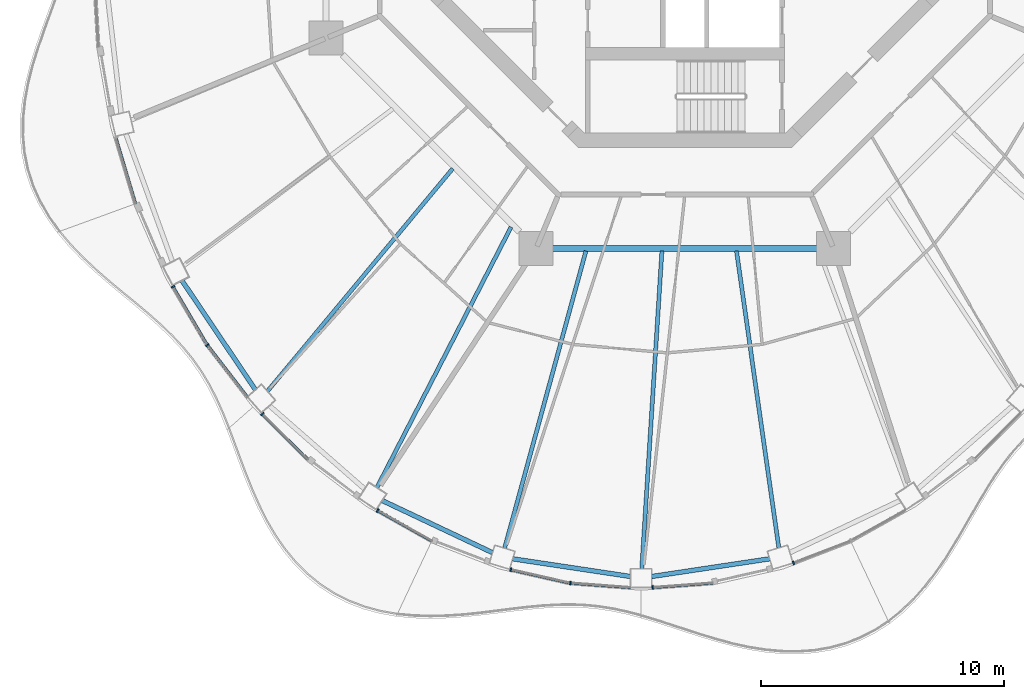
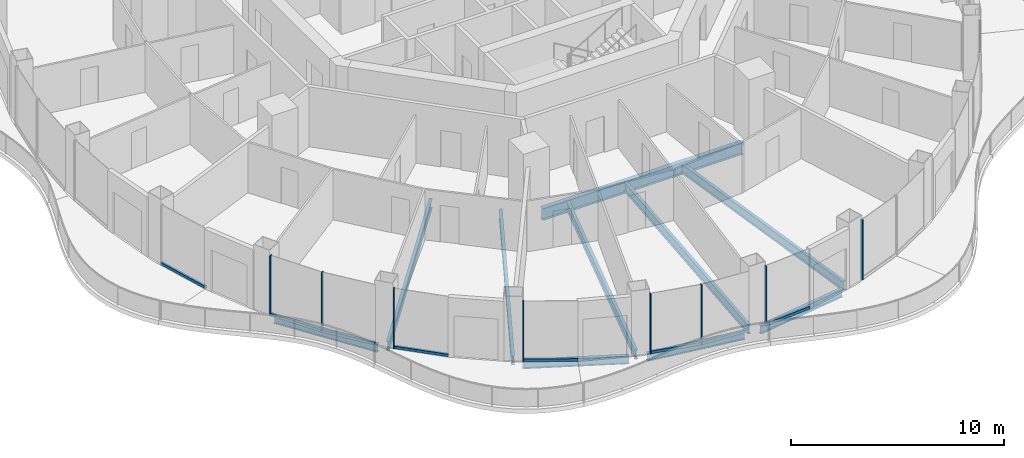
# One storey, part 2 of 18: 16 members, 10 beams, 9 elements without a shape of their own.
"""IFC4 building model written with IfcOpenShell, lengths in metres."""

import ifcopenshell
import ifcopenshell.guid

model = None  # the IFC model being written
_history = None  # IfcOwnerHistory: only IFC2X3 demands one
_inside = {}  # id of a spatial element -> (the spatial element, [elements in it])
_under = {}  # id of a project, library or spatial element -> (it, [spatial elements below it])
_declared = {}  # id of a project -> (the project, [libraries it declares])
_typed = {}  # id of a type object -> (the type object, [elements of that type])
_made_of = {}  # id of a material, layer set ... -> (it, [elements and type objects made of it])


def new_model(schema):
    """Start an empty IFC model of exactly this schema.

    Asked for "IFC4X3", IfcOpenShell would pick the latest addendum, in which some entities
    have other attributes; the version numbers below select the first issue.
    IFC2X3 requires an IfcOwnerHistory on every rooted entity: one is made here for all.
    """
    global model, _history
    if schema == "IFC4X3":
        model = ifcopenshell.file(schema_version=(4, 3, 0, 0))
    else:
        model = ifcopenshell.file(schema=schema)
    _inside.clear()
    _under.clear()
    _declared.clear()
    _typed.clear()
    _made_of.clear()
    _history = None
    if model.schema == "IFC2X3":
        org = make("IfcOrganization", Name="unknown")
        user = make(
            "IfcPersonAndOrganization",
            ThePerson=make("IfcPerson", FamilyName="unknown"),
            TheOrganization=org,
        )
        app = make(
            "IfcApplication",
            ApplicationDeveloper=org,
            Version="unknown",
            ApplicationFullName="unknown",
            ApplicationIdentifier="unknown",
        )
        _history = make(
            "IfcOwnerHistory",
            OwningUser=user,
            OwningApplication=app,
            ChangeAction="ADDED",
            CreationDate=0,
        )
    return model


def make(cls, **values):
    """One entity of the class cls with the attributes given. An attribute that is None is left unset."""
    return model.create_entity(
        cls, **{name: value for name, value in values.items() if value is not None}
    )


def rooted(cls, **values):
    """An entity with a GlobalId (a new one), such as an element, a storey or a relation."""
    return make(cls, GlobalId=ifcopenshell.guid.new(), OwnerHistory=_history, **values)


def si_unit(unit_type, name, prefix=None):
    """IfcSIUnit, for example si_unit("LENGTHUNIT", "METRE", prefix="MILLI")."""
    return make("IfcSIUnit", UnitType=unit_type, Prefix=prefix, Name=name)


def assignment(units):
    """IfcUnitAssignment: the units of a project."""
    return None if units is None else make("IfcUnitAssignment", Units=units)


def point(xyz):
    """IfcCartesianPoint."""
    return None if xyz is None else make("IfcCartesianPoint", Coordinates=xyz)


def direction(xyz):
    """IfcDirection."""
    return None if xyz is None else make("IfcDirection", DirectionRatios=xyz)


def frame(location, z_axis=None, x_axis=None):
    """IfcAxis2Placement3D, a coordinate frame: its origin and axes. An axis left out is left unset."""
    return make(
        "IfcAxis2Placement3D",
        Location=point(location),
        Axis=direction(z_axis),
        RefDirection=direction(x_axis),
    )


def frame_2d(location, x_axis=None):
    """IfcAxis2Placement2D, a coordinate frame in the plane: its origin and x axis."""
    return make(
        "IfcAxis2Placement2D", Location=point(location), RefDirection=direction(x_axis)
    )


def origin():
    """The frame at (0, 0, 0) with its axes left unset."""
    return frame((0.0, 0.0, 0.0))


def origin_2d():
    """The frame at (0, 0) in the plane with its x axis left unset."""
    return frame_2d((0.0, 0.0))


def place(relative_to, where):
    """IfcLocalPlacement: puts the frame where relative to a parent placement (None: the world)."""
    return make(
        "IfcLocalPlacement", PlacementRelTo=relative_to, RelativePlacement=where
    )


def context(
    kind, dimensions, precision=None, world=None, true_north=None, identifier=None
):
    """IfcGeometricRepresentationContext, for example the 3D "Model" context."""
    return make(
        "IfcGeometricRepresentationContext",
        ContextIdentifier=identifier,
        ContextType=kind,
        CoordinateSpaceDimension=dimensions,
        Precision=precision,
        WorldCoordinateSystem=world,
        TrueNorth=true_north,
    )


def subcontext(parent, identifier, kind, view, scale=None):
    """IfcGeometricRepresentationSubContext, for example "Body" below "Model"."""
    return make(
        "IfcGeometricRepresentationSubContext",
        ContextIdentifier=identifier,
        ContextType=kind,
        ParentContext=parent,
        TargetScale=scale,
        TargetView=view,
    )


def project(units=None, contexts=None):
    """IfcProject with its units and contexts."""
    return rooted(
        "IfcProject",
        Name="project",
        RepresentationContexts=contexts,
        UnitsInContext=assignment(units),
    )


def spatial(cls, under=None, at=None, **own):
    """A site, building, storey or space (cls), placed at a placement, below another one or the project."""
    s = rooted(cls, ObjectPlacement=at, **own)
    if under is not None:
        _under.setdefault(under.id(), (under, []))[1].append(s)
    return s


def profile(cls, at=None, kind="AREA", **sizes):
    """A parametric profile (cls). Its sizes go by their IFC names, for example OverallWidth=200.0."""
    return make(cls, ProfileType=kind, Position=at, **sizes)


def rectangle(**sizes):
    """IfcRectangleProfileDef."""
    return profile("IfcRectangleProfileDef", **sizes)


def i_section(**sizes):
    """IfcIShapeProfileDef."""
    return profile("IfcIShapeProfileDef", **sizes)


def extrude(swept, where, along, depth):
    """IfcExtrudedAreaSolid: the profile swept, set in the frame where, extruded along a direction by depth."""
    return make(
        "IfcExtrudedAreaSolid",
        SweptArea=swept,
        Position=where,
        ExtrudedDirection=direction(along),
        Depth=depth,
    )


def shape(context_of_items, identifier, shape_type, items):
    """IfcShapeRepresentation: the items that make up one representation, for example the "Body"."""
    return make(
        "IfcShapeRepresentation",
        ContextOfItems=context_of_items,
        RepresentationIdentifier=identifier,
        RepresentationType=shape_type,
        Items=items,
    )


def material(Name=None, Category=None):
    """IfcMaterial."""
    return make("IfcMaterial", Name=Name, Category=Category)


def layer(
    of_material, thickness, ventilated=None, Name=None, Category=None, Priority=None
):
    """IfcMaterialLayer: one layer of a wall or slab, of a material (None: an air gap)."""
    return make(
        "IfcMaterialLayer",
        Material=of_material,
        LayerThickness=thickness,
        IsVentilated=ventilated,
        Name=Name,
        Category=Category,
        Priority=Priority,
    )


def layer_set(layers, Name=None):
    """IfcMaterialLayerSet."""
    return make("IfcMaterialLayerSet", MaterialLayers=layers, LayerSetName=Name)


def material_profile(
    of_material, cross_section, Name=None, Category=None, Priority=None
):
    """IfcMaterialProfile: a cross section and its material."""
    return make(
        "IfcMaterialProfile",
        Name=Name,
        Material=of_material,
        Profile=cross_section,
        Priority=Priority,
        Category=Category,
    )


def profile_set(profiles, Name=None, composite=None):
    """IfcMaterialProfileSet."""
    return make(
        "IfcMaterialProfileSet",
        Name=Name,
        MaterialProfiles=profiles,
        CompositeProfile=composite,
    )


def made_of(thing, what):
    """Note that an element or type object is made of a material, layer set ...; save() writes the relation."""
    if what is not None:
        _made_of.setdefault(what.id(), (what, []))[1].append(thing)
    return thing


def type_object(cls, material=None, **own):
    """A type object (cls), such as IfcWallType, which elements share."""
    return made_of(rooted(cls, **own), material)


def element(
    cls,
    number,
    at=None,
    inside=None,
    cuts=None,
    type_object=None,
    material=None,
    context=None,
    identifier="Body",
    shape_type=None,
    held_by="IfcProductDefinitionShape",
    body=None,
    shapes=None,
    **own,
):
    """One element of the class cls, such as IfcWall. Its Tag is "e" and its number.

    at: its placement. inside: the storey or other place that contains it. cuts: it is an
    opening in that element (IfcRelVoidsElement). A single representation is given by context,
    identifier, shape_type and body (its items); several are given by shapes. held_by: the class
    of the entity that holds the representations. save() writes the other relations.
    """
    e = rooted(cls, Tag="e%d" % number, ObjectPlacement=at, **own)
    if body is not None:
        shapes = [shape(context, identifier, shape_type, body)]
    if shapes is not None:
        e.Representation = make(held_by, Representations=shapes)
    if inside is not None:
        _inside.setdefault(inside.id(), (inside, []))[1].append(e)
    if cuts is not None:
        rooted(
            "IfcRelVoidsElement", RelatingBuildingElement=cuts, RelatedOpeningElement=e
        )
    if type_object is not None:
        _typed.setdefault(type_object.id(), (type_object, []))[1].append(e)
    return made_of(e, material)


def aggregate(whole, parts):
    """IfcRelAggregates: a whole, such as a stair, and the parts it consists of."""
    return rooted("IfcRelAggregates", RelatingObject=whole, RelatedObjects=parts)


def save(model, path):
    """Write the relations noted so far, then the file.

    IfcRelAggregates (storeys below a building ...), IfcRelContainedInSpatialStructure (elements
    in a storey), IfcRelDefinesByType, IfcRelAssociatesMaterial and IfcRelDeclares: one each for
    every whole, place, type object, material and project.
    """
    for whole, parts in _under.values():
        aggregate(whole, parts)
    for where, things in _inside.values():
        rooted(
            "IfcRelContainedInSpatialStructure",
            RelatedElements=things,
            RelatingStructure=where,
        )
    for kind, things in _typed.values():
        rooted("IfcRelDefinesByType", RelatedObjects=things, RelatingType=kind)
    for what, things in _made_of.values():
        rooted("IfcRelAssociatesMaterial", RelatedObjects=things, RelatingMaterial=what)
    for by, libraries in _declared.values():
        rooted("IfcRelDeclares", RelatingContext=by, RelatedDefinitions=libraries)
    model.write(path)


model = new_model("IFC4")

# Units and contexts
model_context = context("Model", 3, precision=1e-05, world=origin(), true_north=direction((0.0, 1.0)))
body_context = subcontext(model_context, "Body", "Model", "MODEL_VIEW")
ifc_project = project(units=[si_unit("LENGTHUNIT", "METRE"), si_unit("AREAUNIT", "SQUARE_METRE"), si_unit("VOLUMEUNIT", "CUBIC_METRE"), si_unit("PLANEANGLEUNIT", "RADIAN"), si_unit("MASSUNIT", "GRAM", prefix="KILO")], contexts=[model_context])

# Site, building, storey
site_placement = place(None, origin())
site = spatial("IfcSite", under=ifc_project, at=site_placement, CompositionType="ELEMENT")
building_placement = place(site_placement, origin())
building = spatial("IfcBuilding", under=site, at=building_placement, Name="Nagisa Residences", CompositionType="ELEMENT")
storey_placement = place(building_placement, frame((0.0, 0.0, 284.39990234375)))
storey = spatial("IfcBuildingStorey", under=building, at=storey_placement, Name="L72", CompositionType="ELEMENT", Elevation=284.39990234375)

# Curtain wall, member
ifc_material_1 = material(Name="Concrete-coloured aluminium curtain wall system", Category="concrete")
ifc_layer = layer(ifc_material_1, 0.159912109375)
ifc_layer_set = layer_set([ifc_layer], Name="CW1 CURTAIN WALL")
curtain_wall_type = type_object("IfcCurtainWallType", Name="CW1 CURTAIN WALL", PredefinedType="NOTDEFINED", material=ifc_layer_set)
curtain_wall_1_placement = place(storey_placement, origin())
curtain_wall_1 = element("IfcCurtainWall", 1, at=curtain_wall_1_placement, inside=storey, type_object=curtain_wall_type, Name="cw:CW1:L72:28", PredefinedType="NOTDEFINED")
ifc_material_2 = material(Name="Concrete-coloured aluminium", Category="concrete")
ifc_material_profile_1 = material_profile(ifc_material_2, rectangle(XDim=0.159912109375, YDim=0.06005859375, at=origin_2d()), Name="CW1 MULLION 160x60")
ifc_profile_set_1 = profile_set([ifc_material_profile_1], Name="Concrete-coloured aluminium")
member_type_1 = type_object("IfcMemberType", Name="CW1 MULLION 160x60", PredefinedType="MULLION", material=ifc_profile_set_1)
member_1_placement = place(storey_placement, frame((-21.077392578125, -16.361083984375, 0.0), z_axis=(0.0, 0.0, 1.0), x_axis=(0.862328898214, 0.506348567002, 0.0)))
member_1 = element("IfcMember", 2, at=member_1_placement, type_object=member_type_1, Name="CW1 mullion", PredefinedType="MULLION", context=body_context, shape_type="SweptSolid", body=[
    extrude(rectangle(XDim=0.159912109375, YDim=0.06005859375, at=origin_2d()), origin(), (0.0, 0.0, 1.0), 3.440185546875),
])

curtain_wall_2_placement = place(storey_placement, origin())
curtain_wall_2 = element("IfcCurtainWall", 3, at=curtain_wall_2_placement, inside=storey, type_object=curtain_wall_type, Name="cw:CW1:L72:29", PredefinedType="NOTDEFINED")
member_2_placement = place(storey_placement, frame((-19.6640625, -18.76220703125, 0.0), z_axis=(0.0, 0.0, 1.0), x_axis=(0.792070340816, 0.610429828235, 0.0)))
member_2 = element("IfcMember", 4, at=member_2_placement, type_object=member_type_1, Name="CW1 mullion", PredefinedType="MULLION", context=body_context, shape_type="SweptSolid", body=[
    extrude(rectangle(XDim=0.159912109375, YDim=0.06005859375, at=origin_2d()), origin(), (0.0, 0.0, 1.0), 3.440185546875),
])

curtain_wall_3_placement = place(storey_placement, origin())
curtain_wall_3 = element("IfcCurtainWall", 5, at=curtain_wall_3_placement, inside=storey, type_object=curtain_wall_type, Name="cw:CW1:L72:30", PredefinedType="NOTDEFINED")
member_3_placement = place(storey_placement, frame((-17.3984375, -21.60107421875, 0.0), z_axis=(0.0, 0.0, 1.0), x_axis=(0.706376885714, 0.707835924016, 0.0)))
member_3 = element("IfcMember", 6, at=member_3_placement, type_object=member_type_1, Name="CW1 mullion", PredefinedType="MULLION", context=body_context, shape_type="SweptSolid", body=[
    extrude(rectangle(XDim=0.159912109375, YDim=0.06005859375, at=origin_2d()), origin(), (0.0, 0.0, 1.0), 3.440185546875),
])

curtain_wall_4_placement = place(storey_placement, origin())
curtain_wall_4 = element("IfcCurtainWall", 7, at=curtain_wall_4_placement, inside=storey, type_object=curtain_wall_type, Name="cw:CW1:L72:32", PredefinedType="NOTDEFINED")
member_4_placement = place(storey_placement, frame((-12.65234375, -25.57421875, 0.0), z_axis=(0.0, 0.0, 1.0), x_axis=(0.489376918501, 0.872072377523, 0.0)))
member_4 = element("IfcMember", 8, at=member_4_placement, type_object=member_type_1, Name="CW1 mullion", PredefinedType="MULLION", context=body_context, shape_type="SweptSolid", body=[
    extrude(rectangle(XDim=0.159912109375, YDim=0.06005859375, at=origin_2d()), origin(), (0.0, 0.0, 1.0), 3.440185546875),
])

curtain_wall_5_placement = place(storey_placement, origin())
curtain_wall_5 = element("IfcCurtainWall", 9, at=curtain_wall_5_placement, inside=storey, type_object=curtain_wall_type, Name="cw:CW1:L72:34", PredefinedType="NOTDEFINED")
member_5_placement = place(storey_placement, frame((-7.168701171875, -28.008544921875, 0.0), z_axis=(0.0, 0.0, 1.0), x_axis=(0.2207639201, 0.975327274089, 0.0)))
member_5 = element("IfcMember", 10, at=member_5_placement, type_object=member_type_1, Name="CW1 mullion", PredefinedType="MULLION", context=body_context, shape_type="SweptSolid", body=[
    extrude(rectangle(XDim=0.159912109375, YDim=0.06005859375, at=origin_2d()), origin(), (0.0, 0.0, 1.0), 3.440185546875),
])

curtain_wall_6_placement = place(storey_placement, origin())
curtain_wall_6 = element("IfcCurtainWall", 11, at=curtain_wall_6_placement, inside=storey, type_object=curtain_wall_type, Name="cw:CW1:L72:35", PredefinedType="NOTDEFINED")
member_6_placement = place(storey_placement, frame((-4.716552734375, -28.559814453125, 0.0), z_axis=(0.0, 0.0, 1.0), x_axis=(0.074377355493, 0.997230168512, 0.0)))
member_6 = element("IfcMember", 12, at=member_6_placement, type_object=member_type_1, Name="CW1 mullion", PredefinedType="MULLION", context=body_context, shape_type="SweptSolid", body=[
    extrude(rectangle(XDim=0.159912109375, YDim=0.06005859375, at=origin_2d()), origin(), (0.0, 0.0, 1.0), 3.440185546875),
])

curtain_wall_7_placement = place(storey_placement, origin())
curtain_wall_7 = element("IfcCurtainWall", 13, at=curtain_wall_7_placement, inside=storey, type_object=curtain_wall_type, Name="cw:CW1:L72:36", PredefinedType="NOTDEFINED")
member_7_placement = place(storey_placement, frame((-1.327392578125, -28.7421875, 0.0), z_axis=(0.0, 0.0, 1.0), x_axis=(-0.074377355493, 0.997230168512, 0.0)))
member_7 = element("IfcMember", 14, at=member_7_placement, type_object=member_type_1, Name="CW1 mullion", PredefinedType="MULLION", context=body_context, shape_type="SweptSolid", body=[
    extrude(rectangle(XDim=0.159912109375, YDim=0.06005859375, at=origin_2d()), origin(), (0.0, 0.0, 1.0), 3.440185546875),
])

curtain_wall_8_placement = place(storey_placement, origin())
curtain_wall_8 = element("IfcCurtainWall", 15, at=curtain_wall_8_placement, inside=storey, type_object=curtain_wall_type, Name="cw:CW1:L72:38", PredefinedType="NOTDEFINED")
member_8_placement = place(storey_placement, frame((4.473388671875, -27.733154296875, 0.0), z_axis=(0.0, 0.0, 1.0), x_axis=(-0.360327770268, 0.932825759707, 0.0)))
member_8 = element("IfcMember", 16, at=member_8_placement, type_object=member_type_1, Name="CW1 mullion", PredefinedType="MULLION", context=body_context, shape_type="SweptSolid", body=[
    extrude(rectangle(XDim=0.159912109375, YDim=0.06005859375, at=origin_2d()), origin(), (0.0, 0.0, 1.0), 3.440185546875),
])
aggregate(curtain_wall_8, [member_8])

curtain_wall_9_placement = place(storey_placement, origin())
curtain_wall_9 = element("IfcCurtainWall", 17, at=curtain_wall_9_placement, inside=storey, type_object=curtain_wall_type, Name="cw:CW1:L72:26", PredefinedType="NOTDEFINED")
ifc_material_3 = material(Name="Concrete-coloured aluminium", Category="concrete")
ifc_material_profile_2 = material_profile(ifc_material_3, rectangle(XDim=0.1201171875, YDim=0.14990234375, at=origin_2d()), Name="CW1 TRANSOM 120x150")
ifc_profile_set_2 = profile_set([ifc_material_profile_2], Name="Concrete-coloured aluminium")
member_type_2 = type_object("IfcMemberType", Name="CW1 TRANSOM 120x150", PredefinedType="USERDEFINED", material=ifc_profile_set_2)
member_9_placement = place(storey_placement, frame((-23.44384765625, -10.18798828125, 0.0751953125), z_axis=(0.285798286059, -0.958289799427, 0.0), x_axis=(0.958289799427, 0.285798286059, 0.0)))
member_9 = element("IfcMember", 18, at=member_9_placement, type_object=member_type_2, Name="CW1 transom", ObjectType="TRANSOM", PredefinedType="USERDEFINED", context=body_context, shape_type="SweptSolid", body=[
    extrude(rectangle(XDim=0.1201171875, YDim=0.14990234375, at=origin_2d()), origin(), (0.0, 0.0, 1.0), 2.877197265625),
])
aggregate(curtain_wall_9, [member_9])

# Member
member_10_placement = place(storey_placement, frame((-21.0927734375, -16.335205078125, 0.0751953125), z_axis=(0.506371364425, -0.862315511452, 0.0), x_axis=(0.862315511452, 0.506371364425, 0.0)))
member_10 = element("IfcMember", 19, at=member_10_placement, type_object=member_type_2, Name="CW1 transom", ObjectType="TRANSOM", PredefinedType="USERDEFINED", context=body_context, shape_type="SweptSolid", body=[
    extrude(rectangle(XDim=0.1201171875, YDim=0.14990234375, at=origin_2d()), origin(), (0.0, 0.0, 1.0), 2.79638671875),
])

aggregate(curtain_wall_1, [member_1, member_10])

member_11_placement = place(storey_placement, frame((-19.682373046875, -18.73828125, 0.0751953125), z_axis=(0.610432336622, -0.792068407656, 0.0), x_axis=(0.792068407656, 0.610432336622, 0.0)))
member_11 = element("IfcMember", 20, at=member_11_placement, type_object=member_type_2, Name="CW1 transom", ObjectType="TRANSOM", PredefinedType="USERDEFINED", context=body_context, shape_type="SweptSolid", body=[
    extrude(rectangle(XDim=0.1201171875, YDim=0.14990234375, at=origin_2d()), origin(), (0.0, 0.0, 1.0), 2.74609375),
])

aggregate(curtain_wall_2, [member_2, member_11])

member_12_placement = place(storey_placement, frame((-17.419677734375, -21.579833984375, 0.0751953125), z_axis=(0.707831739508, -0.706381078841, 0.0), x_axis=(0.706381078841, 0.707831739508, 0.0)))
member_12 = element("IfcMember", 21, at=member_12_placement, type_object=member_type_2, Name="CW1 transom", ObjectType="TRANSOM", PredefinedType="USERDEFINED", context=body_context, shape_type="SweptSolid", body=[
    extrude(rectangle(XDim=0.1201171875, YDim=0.14990234375, at=origin_2d()), origin(), (0.0, 0.0, 1.0), 2.692626953125),
])

aggregate(curtain_wall_3, [member_3, member_12])

member_13_placement = place(storey_placement, frame((-12.678466796875, -25.5595703125, 0.0751953125), z_axis=(0.872052877201, -0.489411666561, 0.0), x_axis=(0.489411666561, 0.872052877201, 0.0)))
member_13 = element("IfcMember", 22, at=member_13_placement, type_object=member_type_2, Name="CW1 transom", ObjectType="TRANSOM", PredefinedType="USERDEFINED", context=body_context, shape_type="SweptSolid", body=[
    extrude(rectangle(XDim=0.1201171875, YDim=0.14990234375, at=origin_2d()), origin(), (0.0, 0.0, 1.0), 2.593017578125),
])

aggregate(curtain_wall_4, [member_4, member_13])

member_14_placement = place(storey_placement, frame((-7.197998046875, -28.001953125, 0.0751953125), z_axis=(0.975319584032, -0.220797891756, 0.0), x_axis=(0.220797891756, 0.975319584032, 0.0)))
member_14 = element("IfcMember", 23, at=member_14_placement, type_object=member_type_2, Name="CW1 transom", ObjectType="TRANSOM", PredefinedType="USERDEFINED", context=body_context, shape_type="SweptSolid", body=[
    extrude(rectangle(XDim=0.1201171875, YDim=0.14990234375, at=origin_2d()), origin(), (0.0, 0.0, 1.0), 2.525390625),
])

aggregate(curtain_wall_5, [member_5, member_14])

member_15_placement = place(storey_placement, frame((-4.74658203125, -28.5576171875, 0.0751953125), z_axis=(0.99722914645, -0.074391057731, 0.0), x_axis=(0.074391057731, 0.99722914645, 0.0)))
member_15 = element("IfcMember", 24, at=member_15_placement, type_object=member_type_2, Name="CW1 transom", ObjectType="TRANSOM", PredefinedType="USERDEFINED", context=body_context, shape_type="SweptSolid", body=[
    extrude(rectangle(XDim=0.1201171875, YDim=0.14990234375, at=origin_2d()), origin(), (0.0, 0.0, 1.0), 2.510498046875),
])

aggregate(curtain_wall_6, [member_6, member_15])

member_16_placement = place(storey_placement, frame((-1.357177734375, -28.744384765625, 0.0751953125), z_axis=(0.99722914645, 0.074391057731, 0.0), x_axis=(-0.074391057731, 0.99722914645, 0.0)))
member_16 = element("IfcMember", 25, at=member_16_placement, type_object=member_type_2, Name="CW1 transom", ObjectType="TRANSOM", PredefinedType="USERDEFINED", context=body_context, shape_type="SweptSolid", body=[
    extrude(rectangle(XDim=0.1201171875, YDim=0.14990234375, at=origin_2d()), origin(), (0.0, 0.0, 1.0), 2.510498046875),
])

aggregate(curtain_wall_7, [member_7, member_16])

# Beams
ifc_material_4 = material(Name="Steel ASTM A572 Gr 50", Category="steel")
ifc_material_profile_3 = material_profile(ifc_material_4, i_section(OverallWidth=0.2529296875, OverallDepth=0.677978515625, WebThickness=0.01171875, FlangeThickness=0.016357421875, at=origin_2d()), Name="W690x125")
ifc_profile_set_3 = profile_set([ifc_material_profile_3], Name="Steel ASTM A572 Gr 50")
beam_type_1 = type_object("IfcBeamType", Name="Inner ring beam W690x125", PredefinedType="BEAM", material=ifc_profile_set_3)
beam_1_placement = place(storey_placement, frame((-5.44287109375, -14.781982421875, -0.598876953125), z_axis=(1.0, 0.0, 0.0), x_axis=(0.0, 1.0, 0.0)))
element("IfcBeam", 26, at=beam_1_placement, inside=storey, type_object=beam_type_1, Name="beam:L72:ib6", PredefinedType="BEAM", context=body_context, shape_type="SweptSolid", body=[
    extrude(i_section(OverallWidth=0.2529296875, OverallDepth=0.677978515625, WebThickness=0.01171875, FlangeThickness=0.016357421875, at=origin_2d()), origin(), (0.0, 0.0, 1.0), 10.8857421875),
])
ifc_material_5 = material(Name="Steel ASTM A572 Gr 50", Category="steel")
ifc_material_profile_4 = material_profile(ifc_material_5, i_section(OverallWidth=0.18994140625, OverallDepth=0.45703125, WebThickness=0.009033203125, FlangeThickness=0.014404296875, at=origin_2d()), Name="W460x74")
ifc_profile_set_4 = profile_set([ifc_material_profile_4], Name="Steel ASTM A572 Gr 50")
beam_type_2 = type_object("IfcBeamType", Name="Perimeter ring beam W460x74", PredefinedType="BEAM", material=ifc_profile_set_4)
beam_2_placement = place(storey_placement, frame((-20.714599609375, -16.097412109375, -0.48828125), z_axis=(0.558014665254, -0.829831087247, 0.0), x_axis=(0.829831087247, 0.558014665254, 0.0)))
element("IfcBeam", 27, at=beam_2_placement, inside=storey, type_object=beam_type_2, Name="beam:L72:pb15", PredefinedType="BEAM", context=body_context, shape_type="SweptSolid", body=[
    extrude(i_section(OverallWidth=0.18994140625, OverallDepth=0.45703125, WebThickness=0.009033203125, FlangeThickness=0.014404296875, at=origin_2d()), origin(), (0.0, 0.0, 1.0), 5.43212890625),
])
beam_3_placement = place(storey_placement, frame((-12.46728515625, -25.161865234375, -0.48828125), z_axis=(0.904115893837, -0.427287316113, 0.0), x_axis=(0.427287316113, 0.904115893837, 0.0)))
element("IfcBeam", 28, at=beam_3_placement, inside=storey, type_object=beam_type_2, Name="beam:L72:pb17", PredefinedType="BEAM", context=body_context, shape_type="SweptSolid", body=[
    extrude(i_section(OverallWidth=0.18994140625, OverallDepth=0.45703125, WebThickness=0.009033203125, FlangeThickness=0.014404296875, at=origin_2d()), origin(), (0.0, 0.0, 1.0), 5.031494140625),
])
beam_4_placement = place(storey_placement, frame((-7.094970703125, -27.562255859375, -0.48828125), z_axis=(0.98890648267, -0.148539451101, 0.0), x_axis=(0.148539451101, 0.98890648267, 0.0)))
element("IfcBeam", 29, at=beam_4_placement, inside=storey, type_object=beam_type_2, Name="beam:L72:pb18", PredefinedType="BEAM", context=body_context, shape_type="SweptSolid", body=[
    extrude(i_section(OverallWidth=0.18994140625, OverallDepth=0.45703125, WebThickness=0.009033203125, FlangeThickness=0.014404296875, at=origin_2d()), origin(), (0.0, 0.0, 1.0), 4.91943359375),
])
beam_5_placement = place(storey_placement, frame((-1.369873046875, -28.29296875, -0.48828125), z_axis=(0.988907577601, 0.148532161377, 0.0), x_axis=(-0.148532161377, 0.988907577601, 0.0)))
element("IfcBeam", 30, at=beam_5_placement, inside=storey, type_object=beam_type_2, Name="beam:L72:pb19", PredefinedType="BEAM", context=body_context, shape_type="SweptSolid", body=[
    extrude(i_section(OverallWidth=0.18994140625, OverallDepth=0.45703125, WebThickness=0.009033203125, FlangeThickness=0.014404296875, at=origin_2d()), origin(), (0.0, 0.0, 1.0), 4.919677734375),
])
ifc_material_6 = material(Name="Steel ASTM A572 Gr 50", Category="steel")
ifc_material_profile_5 = material_profile(ifc_material_6, i_section(OverallWidth=0.166015625, OverallDepth=0.534912109375, WebThickness=0.01025390625, FlangeThickness=0.0166015625, at=origin_2d()), Name="W530x85")
ifc_profile_set_5 = profile_set([ifc_material_profile_5], Name="Steel ASTM A572 Gr 50")
beam_type_3 = type_object("IfcBeamType", Name="Radial beam W530x85", PredefinedType="BEAM", material=ifc_profile_set_5)
beam_6_placement = place(storey_placement, frame((-17.195068359375, -20.669189453125, -0.52734375), z_axis=(0.639540330466, 0.768757546764, 0.0), x_axis=(-0.768757546764, 0.639540330466, 0.0)))
element("IfcBeam", 31, at=beam_6_placement, inside=storey, type_object=beam_type_3, Name="beam:L72:rb16", PredefinedType="BEAM", context=body_context, shape_type="SweptSolid", body=[
    extrude(i_section(OverallWidth=0.166015625, OverallDepth=0.534912109375, WebThickness=0.01025390625, FlangeThickness=0.0166015625, at=origin_2d()), origin(), (0.0, 0.0, 1.0), 11.935302734375),
])
beam_7_placement = place(storey_placement, frame((-12.68505859375, -24.63623046875, -0.52734375), z_axis=(0.457775990682, 0.88906756906, 0.0), x_axis=(-0.88906756906, 0.457775990682, 0.0)))
element("IfcBeam", 32, at=beam_7_placement, inside=storey, type_object=beam_type_3, Name="beam:L72:rb17", PredefinedType="BEAM", context=body_context, shape_type="SweptSolid", body=[
    extrude(i_section(OverallWidth=0.166015625, OverallDepth=0.534912109375, WebThickness=0.01025390625, FlangeThickness=0.0166015625, at=origin_2d()), origin(), (0.0, 0.0, 1.0), 12.075927734375),
])
beam_8_placement = place(storey_placement, frame((-7.4248046875, -27.130859375, -0.52734375), z_axis=(0.263957181957, 0.964534398606, 0.0), x_axis=(-0.964534398606, 0.263957181957, 0.0)))
element("IfcBeam", 33, at=beam_8_placement, inside=storey, type_object=beam_type_3, Name="beam:L72:rb18", PredefinedType="BEAM", context=body_context, shape_type="SweptSolid", body=[
    extrude(i_section(OverallWidth=0.166015625, OverallDepth=0.534912109375, WebThickness=0.01025390625, FlangeThickness=0.0166015625, at=origin_2d()), origin(), (0.0, 0.0, 1.0), 12.69189453125),
])
beam_9_placement = place(storey_placement, frame((-1.77587890625, -27.9775390625, -0.52734375), z_axis=(0.06334711, 0.997991554901, 0.0), x_axis=(-0.997991554901, 0.06334711, 0.0)))
element("IfcBeam", 34, at=beam_9_placement, inside=storey, type_object=beam_type_3, Name="beam:L72:rb19", PredefinedType="BEAM", context=body_context, shape_type="SweptSolid", body=[
    extrude(i_section(OverallWidth=0.166015625, OverallDepth=0.534912109375, WebThickness=0.01025390625, FlangeThickness=0.0166015625, at=origin_2d()), origin(), (0.0, 0.0, 1.0), 13.115234375),
])
beam_10_placement = place(storey_placement, frame((3.87060546875, -27.11669921875, -0.52734375), z_axis=(-0.141302367909, 0.989966484697, 0.0), x_axis=(-0.989966484697, -0.141302367909, 0.0)))
element("IfcBeam", 35, at=beam_10_placement, inside=storey, type_object=beam_type_3, Name="beam:L72:rb20", PredefinedType="BEAM", context=body_context, shape_type="SweptSolid", body=[
    extrude(i_section(OverallWidth=0.166015625, OverallDepth=0.534912109375, WebThickness=0.01025390625, FlangeThickness=0.0166015625, at=origin_2d()), origin(), (0.0, 0.0, 1.0), 12.35205078125),
])

save(model, "model.ifc")
